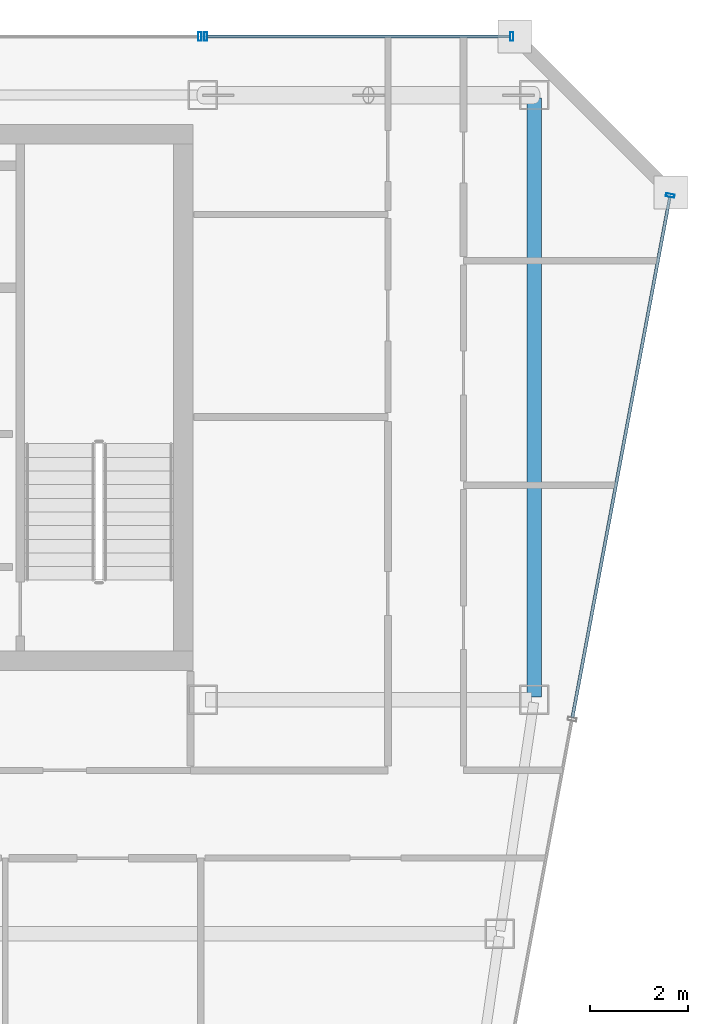
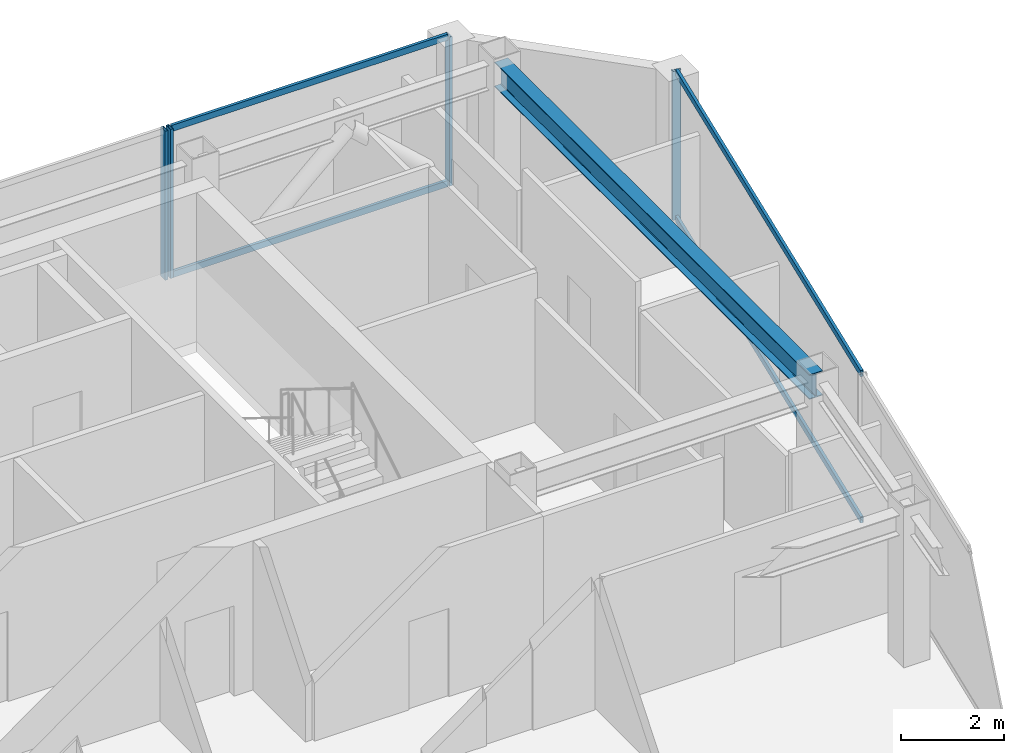
# One storey, part 16 of 23: 8 members, 1 beam, 3 elements without a shape of their own.
"""IFC4 building model written with IfcOpenShell, lengths in metres."""

from ifc_helpers import new_model, si_unit, direction, frame, origin, origin_2d, place, context, subcontext, project, spatial, hollow_rectangle, i_section, extrude, material, material_profile, profile_set, type_object, element, aggregate, save


model = new_model("IFC4")

# Units and contexts
model_context = context("Model", 3, precision=1e-05, world=origin(), true_north=direction((0.0, 1.0)))
body_context = subcontext(model_context, "Body", "Model", "MODEL_VIEW")
ifc_project = project(units=[si_unit("LENGTHUNIT", "METRE"), si_unit("AREAUNIT", "SQUARE_METRE"), si_unit("VOLUMEUNIT", "CUBIC_METRE"), si_unit("PLANEANGLEUNIT", "RADIAN"), si_unit("MASSUNIT", "GRAM", prefix="KILO")], contexts=[model_context])

# Site, building, storey
site_placement = place(None, origin())
site = spatial("IfcSite", under=ifc_project, at=site_placement, CompositionType="ELEMENT")
building_placement = place(site_placement, origin())
building = spatial("IfcBuilding", under=site, at=building_placement, Name="Saevonmaru Cultural Tower", CompositionType="ELEMENT")
storey_placement = place(building_placement, frame((0.0, 0.0, 280.0)))
storey = spatial("IfcBuildingStorey", under=building, at=storey_placement, Name="L66", CompositionType="ELEMENT", Elevation=280.0)

# Beam
ifc_material_1 = material(Name="Steel SM355", Category="steel")
ifc_material_profile_1 = material_profile(ifc_material_1, i_section(OverallWidth=0.300048828125, OverallDepth=0.587890625, WebThickness=0.011962890625, FlangeThickness=0.02001953125, FilletRadius=0.02392578125, at=origin_2d()), Name="H-588x300x12x20")
ifc_profile_set_1 = profile_set([ifc_material_profile_1], Name="Steel SM355")
beam_type = type_object("IfcBeamType", Name="BM-G-H588", PredefinedType="BEAM", material=ifc_profile_set_1)
beam_placement = place(storey_placement, frame((53.199951171875, 54.739990234375, 3.256103515625), z_axis=(0.0, -1.0, 0.0), x_axis=(1.0, 0.0, 0.0)))
element("IfcBeam", 1, at=beam_placement, inside=storey, type_object=beam_type, Name="L66 Spine Transverse Girder E", PredefinedType="BEAM", context=body_context, shape_type="SweptSolid", body=[
    extrude(i_section(OverallWidth=0.300048828125, OverallDepth=0.587890625, WebThickness=0.011962890625, FlangeThickness=0.02001953125, FilletRadius=0.02392578125, at=origin_2d()), origin(), (0.0, 0.0, 1.0), 12.280029296875),
])

# Curtain wall, member
ifc_material_2 = material(Name="Satin Bronze Anodised Aluminium", Category="aluminium")
curtain_wall_type = type_object("IfcCurtainWallType", Name="CW-TYP-B", PredefinedType="NOTDEFINED", material=ifc_material_2)
curtain_wall_1_placement = place(storey_placement, origin())
curtain_wall_1 = element("IfcCurtainWall", 2, at=curtain_wall_1_placement, inside=storey, type_object=curtain_wall_type, Name="L66 Unitised Curtain Wall E8", PredefinedType="NOTDEFINED")
ifc_material_profile_2 = material_profile(ifc_material_2, hollow_rectangle(XDim=0.06494140625, YDim=0.179931640625, WallThickness=0.00390625, at=origin_2d()), Name="ALU-MULL-180x65x4")
ifc_profile_set_2 = profile_set([ifc_material_profile_2], Name="Satin Bronze Anodised Aluminium")
member_type_1 = type_object("IfcMemberType", Name="ML-CW-180x65", PredefinedType="MULLION", material=ifc_profile_set_2)
member_1_placement = place(storey_placement, frame((55.989013671875, 52.740966796875, 0.0), z_axis=(0.0, 0.0, 1.0), x_axis=(0.184046528232, 0.982917532373, 0.0)))
member_1 = element("IfcMember", 3, at=member_1_placement, type_object=member_type_1, Name="CW-TW-L66-E8 mullion 3", PredefinedType="MULLION", context=body_context, shape_type="SweptSolid", body=[
    extrude(hollow_rectangle(XDim=0.06494140625, YDim=0.179931640625, WallThickness=0.00390625, at=origin_2d()), origin(), (0.0, 0.0, 1.0), 3.550048828125),
])

# Curtain wall, members
curtain_wall_2_placement = place(storey_placement, origin())
curtain_wall_2 = element("IfcCurtainWall", 4, at=curtain_wall_2_placement, inside=storey, type_object=curtain_wall_type, Name="L66 East Braced Bay Spandrel Curtain Wall E10A", PredefinedType="NOTDEFINED")
member_2_placement = place(storey_placement, frame((52.739990234375, 56.0, 0.0), z_axis=(0.0, 0.0, 1.0), x_axis=(-1.0, 0.0, 0.0)))
member_2 = element("IfcMember", 5, at=member_2_placement, type_object=member_type_1, Name="CW-TW-L66-E10A mullion 1", PredefinedType="MULLION", context=body_context, shape_type="SweptSolid", body=[
    extrude(hollow_rectangle(XDim=0.06494140625, YDim=0.179931640625, WallThickness=0.00390625, at=origin_2d()), origin(), (0.0, 0.0, 1.0), 3.550048828125),
])
member_3_placement = place(storey_placement, frame((46.4599609375, 56.0, 0.0), z_axis=(0.0, 0.0, 1.0), x_axis=(-1.0, 0.0, 0.0)))
member_3 = element("IfcMember", 6, at=member_3_placement, type_object=member_type_1, Name="CW-TW-L66-E10A mullion 2", PredefinedType="MULLION", context=body_context, shape_type="SweptSolid", body=[
    extrude(hollow_rectangle(XDim=0.06494140625, YDim=0.179931640625, WallThickness=0.00390625, at=origin_2d()), origin(), (0.0, 0.0, 1.0), 3.550048828125),
])

# Curtain wall, member
curtain_wall_3_placement = place(storey_placement, origin())
curtain_wall_3 = element("IfcCurtainWall", 7, at=curtain_wall_3_placement, inside=storey, type_object=curtain_wall_type, Name="L66 North Spine Unitised Curtain Wall E10B", PredefinedType="NOTDEFINED")
member_4_placement = place(storey_placement, frame((46.340087890625, 56.0, 0.0), z_axis=(0.0, 0.0, 1.0), x_axis=(-1.0, 0.0, 0.0)))
member_4 = element("IfcMember", 8, at=member_4_placement, type_object=member_type_1, Name="CW-TW-L66-E10B mullion 1", PredefinedType="MULLION", context=body_context, shape_type="SweptSolid", body=[
    extrude(hollow_rectangle(XDim=0.06494140625, YDim=0.179931640625, WallThickness=0.00390625, at=origin_2d()), origin(), (0.0, 0.0, 1.0), 3.550048828125),
])
aggregate(curtain_wall_3, [member_4])

# Member
ifc_material_profile_3 = material_profile(ifc_material_2, hollow_rectangle(XDim=0.06494140625, YDim=0.14990234375, WallThickness=0.00390625, at=origin_2d()), Name="ALU-TRAN-150x65x4")
ifc_profile_set_3 = profile_set([ifc_material_profile_3], Name="Satin Bronze Anodised Aluminium")
member_type_2 = type_object("IfcMemberType", Name="TR-CW-150x65", PredefinedType="USERDEFINED", material=ifc_profile_set_3)
member_5_placement = place(storey_placement, frame((53.98388671875, 42.031982421875, 0.032470703125), z_axis=(0.184029339557, 0.982920750713, 0.0), x_axis=(-0.982920750713, 0.184029339557, 0.0)))
member_5 = element("IfcMember", 9, at=member_5_placement, type_object=member_type_2, Name="CW-TW-L66-E8 transom 2.1", ObjectType="TRANSOM", PredefinedType="USERDEFINED", context=body_context, shape_type="SweptSolid", body=[
    extrude(hollow_rectangle(XDim=0.06494140625, YDim=0.14990234375, WallThickness=0.00390625, at=origin_2d()), origin(), (0.0, 0.0, 1.0), 10.862548828125),
])

member_6_placement = place(storey_placement, frame((53.98388671875, 42.031982421875, 3.517578125), z_axis=(0.184029339557, 0.982920750713, 0.0), x_axis=(-0.982920750713, 0.184029339557, 0.0)))
member_6 = element("IfcMember", 10, at=member_6_placement, type_object=member_type_2, Name="CW-TW-L66-E8 transom 2.2", ObjectType="TRANSOM", PredefinedType="USERDEFINED", context=body_context, shape_type="SweptSolid", body=[
    extrude(hollow_rectangle(XDim=0.06494140625, YDim=0.14990234375, WallThickness=0.00390625, at=origin_2d()), origin(), (0.0, 0.0, 1.0), 10.862548828125),
])

aggregate(curtain_wall_1, [member_1, member_5, member_6])

member_7_placement = place(storey_placement, frame((52.70751953125, 56.0, 0.032470703125), z_axis=(-1.0, 0.0, 0.0), x_axis=(0.0, -1.0, 0.0)))
member_7 = element("IfcMember", 11, at=member_7_placement, type_object=member_type_2, Name="CW-TW-L66-E10A transom 1.1", ObjectType="TRANSOM", PredefinedType="USERDEFINED", context=body_context, shape_type="SweptSolid", body=[
    extrude(hollow_rectangle(XDim=0.06494140625, YDim=0.14990234375, WallThickness=0.00390625, at=origin_2d()), origin(), (0.0, 0.0, 1.0), 6.215087890625),
])

member_8_placement = place(storey_placement, frame((52.70751953125, 56.0, 3.517578125), z_axis=(-1.0, 0.0, 0.0), x_axis=(0.0, -1.0, 0.0)))
member_8 = element("IfcMember", 12, at=member_8_placement, type_object=member_type_2, Name="CW-TW-L66-E10A transom 1.2", ObjectType="TRANSOM", PredefinedType="USERDEFINED", context=body_context, shape_type="SweptSolid", body=[
    extrude(hollow_rectangle(XDim=0.06494140625, YDim=0.14990234375, WallThickness=0.00390625, at=origin_2d()), origin(), (0.0, 0.0, 1.0), 6.215087890625),
])

aggregate(curtain_wall_2, [member_2, member_3, member_7, member_8])

save(model, "model.ifc")
